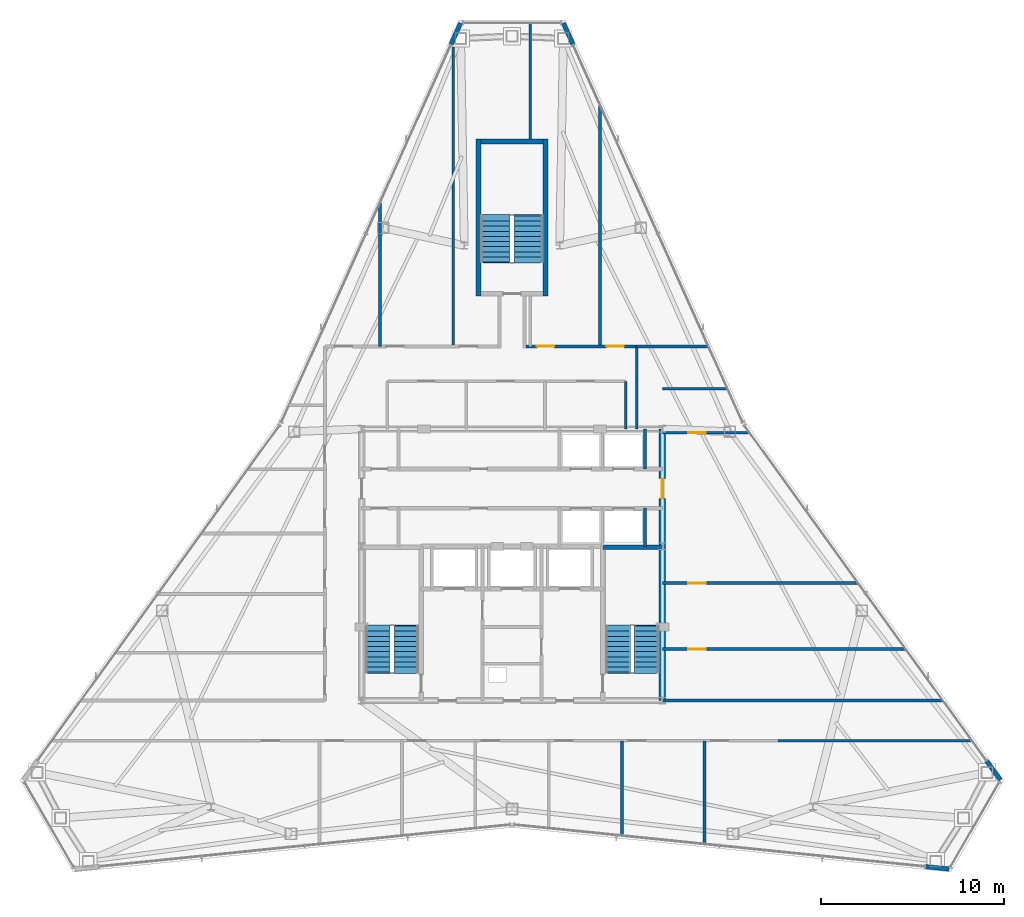
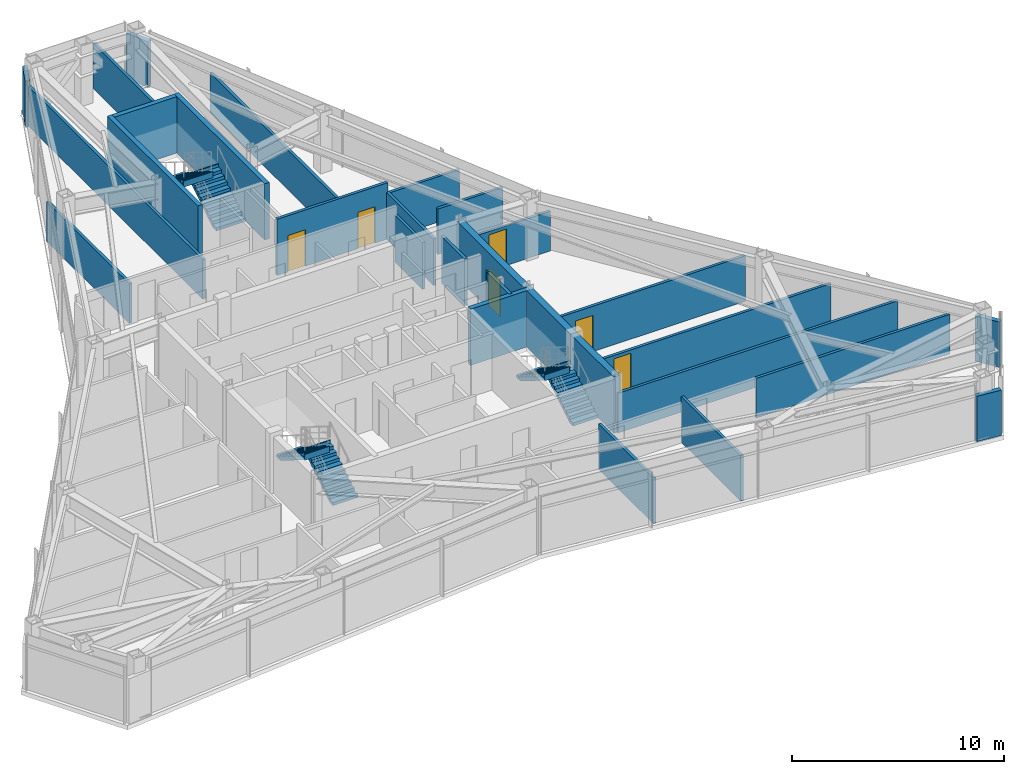
# One storey, part 11 of 12: 27 walls, 6 doors, 6 stair flights, 6 openings, 3 elements without a shape of their own.
"""IFC4 building model written with IfcOpenShell, lengths in metres."""

from ifc_helpers import new_model, si_unit, direction, frame, frame_2d, origin, place, context, subcontext, project, spatial, polyline, rectangle, outline, extrude, material, layer, layer_set, type_object, element, fill, aggregate, save


model = new_model("IFC4")

# Units and contexts
model_context = context("Model", 3, precision=1e-05, world=origin(), true_north=direction((0.0, 1.0)))
body_context = subcontext(model_context, "Body", "Model", "MODEL_VIEW")
ifc_project = project(units=[si_unit("LENGTHUNIT", "METRE"), si_unit("AREAUNIT", "SQUARE_METRE"), si_unit("VOLUMEUNIT", "CUBIC_METRE"), si_unit("PLANEANGLEUNIT", "RADIAN"), si_unit("MASSUNIT", "GRAM", prefix="KILO")], contexts=[model_context])

# Site, building, storey
site_placement = place(None, origin())
site = spatial("IfcSite", under=ifc_project, at=site_placement, CompositionType="ELEMENT")
building_placement = place(site_placement, origin())
building = spatial("IfcBuilding", under=site, at=building_placement, Name="Varakhsha Concourse Tower", CompositionType="ELEMENT")
storey_placement = place(building_placement, frame((0.0, 0.0, 255.0)))
storey = spatial("IfcBuildingStorey", under=building, at=storey_placement, Name="L72", CompositionType="ELEMENT", Elevation=255.0)

# Wall, opening, door
ifc_material_1 = material(Name="Concrete fc 65 MPa", Category="concrete")
ifc_layer_1 = layer(ifc_material_1, 0.35009765625, Name="WL-CORE-350")
ifc_layer_set_1 = layer_set([ifc_layer_1], Name="Concrete fc 65 MPa")
wall_type_1 = type_object("IfcWallType", Name="WL-CORE-350", PredefinedType="SHEAR", material=ifc_layer_set_1)
wall_1_placement = place(storey_placement, frame((48.199951171875, 16.39990234375, 0.0), z_axis=(0.0, 0.0, 1.0), x_axis=(0.0, 1.0, 0.0)))
wall_1 = element("IfcWall", 1, at=wall_1_placement, inside=storey, type_object=wall_type_1, Name="L72 Wall CWALL-E-L72", PredefinedType="SHEAR", context=body_context, shape_type="SweptSolid", body=[
    extrude(rectangle(XDim=14.800048828125, YDim=0.35009765625, at=frame_2d((7.39990234375, 0.0))), origin(), (0.0, 0.0, 1.0), 3.25),
])
opening_1_placement = place(wall_1_placement, frame((11.0, 0.0, 0.0)))
opening_1 = element("IfcOpeningElement", 2, at=opening_1_placement, cuts=wall_1, Name="Opening DL-01", PredefinedType="OPENING", context=body_context, shape_type="SweptSolid", body=[
    extrude(rectangle(XDim=1.10009765625, YDim=2.14990234375, at=frame_2d((0.550048828125, 1.074951171875))), frame((0.0, 0.18505859375, 0.0), z_axis=(0.0, -1.0, 0.0), x_axis=(1.0, 0.0, 0.0)), (0.0, 0.0, 1.0), 0.3701171875),
])
ifc_material_2 = material(Name="Anodised Bronze Architectural Aluminium AA 6063-T6", Category="aluminium")
door_type_1 = type_object("IfcDoorType", Name="DR-LOB-1100", OperationType="NOTDEFINED", PredefinedType="DOOR", material=ifc_material_2)
door_1_placement = place(opening_1_placement, origin())
door_1 = element("IfcDoor", 3, at=door_1_placement, inside=storey, type_object=door_type_1, Name="L72 Lift Lobby East Concourse Door", OperationType="SINGLE_SWING_RIGHT", OverallHeight=2.14990234375, OverallWidth=1.10009765625, PredefinedType="DOOR", context=body_context, shape_type="SweptSolid", body=[
    extrude(rectangle(XDim=1.10009765625, YDim=2.14990234375, at=frame_2d((0.550048828125, 1.074951171875))), frame((0.0, 0.02490234375, 0.0), z_axis=(0.0, -1.0, 0.0), x_axis=(1.0, 0.0, 0.0)), (0.0, 0.0, 1.0), 0.050048828125),
])
fill(opening_1, door_1)

# Walls
ifc_material_3 = material(Name="Concrete fc 45 MPa", Category="concrete")
ifc_layer_2 = layer(ifc_material_3, 0.239990234375, Name="WL-EXT-CRN-240")
ifc_layer_set_2 = layer_set([ifc_layer_2], Name="Concrete fc 45 MPa")
wall_type_2 = type_object("IfcWallType", Name="WL-EXT-CRN-240", PredefinedType="SHEAR", material=ifc_layer_set_2)
wall_2_placement = place(storey_placement, frame((37.19921875, 53.32763671875, 0.0), z_axis=(0.0, 0.0, 1.0), x_axis=(-0.409639238074, -0.912247605988, 0.0)))
element("IfcWall", 4, at=wall_2_placement, inside=storey, type_object=wall_type_2, Name="L72 Wind-Corner Shoulder Wall F2", PredefinedType="SHEAR", context=body_context, shape_type="SweptSolid", body=[
    extrude(rectangle(XDim=1.273681640625, YDim=0.239990234375, at=frame_2d((0.63671875, 0.0))), origin(), (0.0, 0.0, 1.0), 2.623046875),
])
wall_3_placement = place(storey_placement, frame((62.557861328125, 7.33984375, 0.0), z_axis=(0.0, 0.0, 1.0), x_axis=(0.994855080115, -0.10130828974, 0.0)))
element("IfcWall", 5, at=wall_3_placement, inside=storey, type_object=wall_type_2, Name="L72 Wind-Corner Shoulder Wall F6", PredefinedType="SHEAR", context=body_context, shape_type="SweptSolid", body=[
    extrude(rectangle(XDim=1.2724609375, YDim=0.239990234375, at=frame_2d((0.63623046875, 0.0))), origin(), (0.0, 0.0, 1.0), 2.623046875),
])
wall_4_placement = place(storey_placement, frame((66.62548828125, 12.061767578125, 0.0), z_axis=(0.0, 0.0, 1.0), x_axis=(-0.585112505524, 0.810952129216, 0.0)))
element("IfcWall", 6, at=wall_4_placement, inside=storey, type_object=wall_type_2, Name="L72 Wind-Corner Shoulder Wall F8", PredefinedType="SHEAR", context=body_context, shape_type="SweptSolid", body=[
    extrude(rectangle(XDim=1.2734375, YDim=0.239990234375, at=frame_2d((0.63671875, 0.0))), origin(), (0.0, 0.0, 1.0), 2.623046875),
])
wall_5_placement = place(storey_placement, frame((43.322509765625, 52.165771484375, 0.0), z_axis=(0.0, 0.0, 1.0), x_axis=(-0.409639238074, 0.912247605988, 0.0)))
element("IfcWall", 7, at=wall_5_placement, inside=storey, type_object=wall_type_2, Name="L72 Wind-Corner Shoulder Wall F9", PredefinedType="SHEAR", context=body_context, shape_type="SweptSolid", body=[
    extrude(rectangle(XDim=1.273681640625, YDim=0.239990234375, at=frame_2d((0.63671875, 0.0))), origin(), (0.0, 0.0, 1.0), 2.623046875),
])
ifc_material_4 = material(Name="Fire-Rated Type X Gypsum Partition Assembly", Category="gypsum")
ifc_layer_3 = layer(ifc_material_4, 0.14990234375, Name="WL-PART-150")
ifc_layer_set_3 = layer_set([ifc_layer_3], Name="Fire-Rated Type X Gypsum Partition Assembly")
wall_type_3 = type_object("IfcWallType", Name="WL-PART-150", PredefinedType="PARTITIONING", material=ifc_layer_set_3)
wall_6_placement = place(storey_placement, frame((46.199951171875, 31.199951171875, 0.0), z_axis=(0.0, 0.0, 1.0), x_axis=(0.0, 1.0, 0.0)))
element("IfcWall", 8, at=wall_6_placement, inside=storey, type_object=wall_type_3, Name="L72 Wall NBOH-E-L72", PredefinedType="PARTITIONING", context=body_context, shape_type="SweptSolid", body=[
    extrude(rectangle(XDim=2.60009765625, YDim=0.14990234375, at=frame_2d((1.300048828125, 0.0))), origin(), (0.0, 0.0, 1.0), 2.705078125),
])
wall_7_placement = place(storey_placement, frame((54.5, 14.199951171875, 0.0), z_axis=(0.0, 0.0, 1.0), x_axis=(1.0, 0.0, 0.0)))
element("IfcWall", 9, at=wall_7_placement, inside=storey, type_object=wall_type_3, Name="L72 Wall CRW-SGAL-SE-L72", PredefinedType="PARTITIONING", context=body_context, shape_type="SweptSolid", body=[
    extrude(rectangle(XDim=10.576416015625, YDim=0.14990234375, at=frame_2d((5.2880859375, 0.0))), origin(), (0.0, 0.0, 1.0), 2.2919921875),
])
wall_8_placement = place(storey_placement, frame((48.199951171875, 16.39990234375, 0.0), z_axis=(0.0, 0.0, 1.0), x_axis=(1.0, 0.0, 0.0)))
element("IfcWall", 10, at=wall_8_placement, inside=storey, type_object=wall_type_3, Name="L72 Wall CRW-SGAL-NE-L72", PredefinedType="PARTITIONING", context=body_context, shape_type="SweptSolid", body=[
    extrude(rectangle(XDim=15.28857421875, YDim=0.14990234375, at=frame_2d((7.644287109375, 0.0))), origin(), (0.0, 0.0, 1.0), 2.2919921875),
])

# Wall, openings, doors
wall_9_placement = place(storey_placement, frame((40.75, 35.699951171875, 0.0), z_axis=(0.0, 0.0, 1.0), x_axis=(1.0, 0.0, 0.0)))
wall_9 = element("IfcWall", 11, at=wall_9_placement, inside=storey, type_object=wall_type_3, Name="L72 Wall CRW-N-L72-B", PredefinedType="PARTITIONING", context=body_context, shape_type="SweptSolid", body=[
    extrude(rectangle(XDim=6.050048828125, YDim=0.14990234375, at=frame_2d((3.02490234375, 0.0))), origin(), (0.0, 0.0, 1.0), 3.25),
])
opening_2_placement = place(wall_9_placement, frame((0.60009765625, 0.0, 0.0)))
opening_2 = element("IfcOpeningElement", 12, at=opening_2_placement, cuts=wall_9, Name="Opening DF-05", PredefinedType="OPENING", context=body_context, shape_type="SweptSolid", body=[
    extrude(rectangle(XDim=0.949951171875, YDim=2.10009765625, at=frame_2d((0.47509765625, 1.050048828125))), frame((0.0, 0.0849609375, 0.0), z_axis=(0.0, -1.0, 0.0), x_axis=(1.0, 0.0, 0.0)), (0.0, 0.0, 1.0), 0.169921875),
])
opening_3_placement = place(wall_9_placement, frame((4.39990234375, 0.0, 0.0)))
opening_3 = element("IfcOpeningElement", 13, at=opening_3_placement, cuts=wall_9, Name="Opening DF-05", PredefinedType="OPENING", context=body_context, shape_type="SweptSolid", body=[
    extrude(rectangle(XDim=0.949951171875, YDim=2.10009765625, at=frame_2d((0.47509765625, 1.050048828125))), frame((0.0, 0.0849609375, 0.0), z_axis=(0.0, -1.0, 0.0), x_axis=(1.0, 0.0, 0.0)), (0.0, 0.0, 1.0), 0.169921875),
])
ifc_material_5 = material(Name="Hollow Galvanised Steel Fire Door Assembly", Category="steel")
door_type_2 = type_object("IfcDoorType", Name="DR-FD60-950", OperationType="NOTDEFINED", PredefinedType="DOOR", material=ifc_material_5)
door_2_placement = place(opening_2_placement, origin())
door_2 = element("IfcDoor", 14, at=door_2_placement, inside=storey, type_object=door_type_2, Name="L72 North Dry R&D Design Lab L72-N4 Door", OperationType="SINGLE_SWING_RIGHT", OverallHeight=2.10009765625, OverallWidth=0.949951171875, PredefinedType="DOOR", context=body_context, shape_type="SweptSolid", body=[
    extrude(rectangle(XDim=0.949951171875, YDim=2.10009765625, at=frame_2d((0.47509765625, 1.050048828125))), frame((0.0, 0.02490234375, 0.0), z_axis=(0.0, -1.0, 0.0), x_axis=(1.0, 0.0, 0.0)), (0.0, 0.0, 1.0), 0.050048828125),
])
fill(opening_2, door_2)
door_3_placement = place(opening_3_placement, origin())
door_3 = element("IfcDoor", 15, at=door_3_placement, inside=storey, type_object=door_type_2, Name="L72 North Dry R&D Design Lab L72-N5 Door", OperationType="SINGLE_SWING_LEFT", OverallHeight=2.10009765625, OverallWidth=0.949951171875, PredefinedType="DOOR", context=body_context, shape_type="SweptSolid", body=[
    extrude(rectangle(XDim=0.949951171875, YDim=2.10009765625, at=frame_2d((0.47509765625, 1.050048828125))), frame((0.0, 0.02490234375, 0.0), z_axis=(0.0, -1.0, 0.0), x_axis=(1.0, 0.0, 0.0)), (0.0, 0.0, 1.0), 0.050048828125),
])
fill(opening_3, door_3)

# Walls
wall_10_placement = place(storey_placement, frame((46.800048828125, 31.199951171875, 0.0), z_axis=(0.0, 0.0, 1.0), x_axis=(0.0, 1.0, 0.0)))
element("IfcWall", 16, at=wall_10_placement, inside=storey, type_object=wall_type_3, Name="L72 Wall CRW-NE-L72", PredefinedType="PARTITIONING", context=body_context, shape_type="SweptSolid", body=[
    extrude(rectangle(XDim=4.5, YDim=0.14990234375, at=frame_2d((2.25, 0.0))), origin(), (0.0, 0.0, 1.0), 2.705078125),
])
wall_11_placement = place(storey_placement, frame((46.0, 9.031494140625, 0.0), z_axis=(0.0, 0.0, 1.0), x_axis=(0.0, 1.0, 0.0)))
element("IfcWall", 17, at=wall_11_placement, inside=storey, type_object=wall_type_3, Name="L72 Wall ODIV-S5-L72", PredefinedType="PARTITIONING", context=body_context, shape_type="SweptSolid", body=[
    extrude(rectangle(XDim=5.16845703125, YDim=0.14990234375, at=frame_2d((2.584228515625, 0.0))), origin(), (0.0, 0.0, 1.0), 2.6279296875),
])
wall_12_placement = place(storey_placement, frame((50.5, 8.572998046875, 0.0), z_axis=(0.0, 0.0, 1.0), x_axis=(0.0, 1.0, 0.0)))
element("IfcWall", 18, at=wall_12_placement, inside=storey, type_object=wall_type_3, Name="L72 Wall ODIV-S6-L72", PredefinedType="PARTITIONING", context=body_context, shape_type="SweptSolid", body=[
    extrude(rectangle(XDim=5.626953125, YDim=0.14990234375, at=frame_2d((2.8134765625, 0.0))), origin(), (0.0, 0.0, 1.0), 2.6279296875),
])
wall_13_placement = place(storey_placement, frame((46.800048828125, 35.699951171875, 0.0), z_axis=(0.0, 0.0, 1.0), x_axis=(1.0, 0.0, 0.0)))
element("IfcWall", 19, at=wall_13_placement, inside=storey, type_object=wall_type_3, Name="L72 Wall ODIV-EBN-L72", PredefinedType="PARTITIONING", context=body_context, shape_type="SweptSolid", body=[
    extrude(rectangle(XDim=3.911376953125, YDim=0.14990234375, at=frame_2d((1.95556640625, 0.0))), origin(), (0.0, 0.0, 1.0), 2.6279296875),
])

# Wall, opening, door
wall_14_placement = place(storey_placement, frame((48.199951171875, 19.199951171875, 0.0), z_axis=(0.0, 0.0, 1.0), x_axis=(1.0, 0.0, 0.0)))
wall_14 = element("IfcWall", 20, at=wall_14_placement, inside=storey, type_object=wall_type_3, Name="L72 Wall ODIV-E1-L72", PredefinedType="PARTITIONING", context=body_context, shape_type="SweptSolid", body=[
    extrude(rectangle(XDim=13.26806640625, YDim=0.14990234375, at=frame_2d((6.634033203125, 0.0))), origin(), (0.0, 0.0, 1.0), 2.2919921875),
])
opening_4_placement = place(wall_14_placement, frame((1.39990234375, 0.0, 0.0)))
opening_4 = element("IfcOpeningElement", 21, at=opening_4_placement, cuts=wall_14, Name="Opening DF-05", PredefinedType="OPENING", context=body_context, shape_type="SweptSolid", body=[
    extrude(rectangle(XDim=0.949951171875, YDim=2.10009765625, at=frame_2d((0.47509765625, 1.050048828125))), frame((0.0, 0.0849609375, 0.0), z_axis=(0.0, -1.0, 0.0), x_axis=(1.0, 0.0, 0.0)), (0.0, 0.0, 1.0), 0.169921875),
])
door_4_placement = place(opening_4_placement, origin())
door_4 = element("IfcDoor", 22, at=door_4_placement, inside=storey, type_object=door_type_2, Name="L72 East Suite Interconnect Door 1", OperationType="SINGLE_SWING_LEFT", OverallHeight=2.10009765625, OverallWidth=0.949951171875, PredefinedType="DOOR", context=body_context, shape_type="SweptSolid", body=[
    extrude(rectangle(XDim=0.949951171875, YDim=2.10009765625, at=frame_2d((0.47509765625, 1.050048828125))), frame((0.0, 0.02490234375, 0.0), z_axis=(0.0, -1.0, 0.0), x_axis=(1.0, 0.0, 0.0)), (0.0, 0.0, 1.0), 0.050048828125),
])
fill(opening_4, door_4)

wall_15_placement = place(storey_placement, frame((48.199951171875, 22.800048828125, 0.0), z_axis=(0.0, 0.0, 1.0), x_axis=(1.0, 0.0, 0.0)))
wall_15 = element("IfcWall", 23, at=wall_15_placement, inside=storey, type_object=wall_type_3, Name="L72 Wall ODIV-E2-L72", PredefinedType="PARTITIONING", context=body_context, shape_type="SweptSolid", body=[
    extrude(rectangle(XDim=10.670166015625, YDim=0.14990234375, at=frame_2d((5.3349609375, 0.0))), origin(), (0.0, 0.0, 1.0), 2.6279296875),
])
opening_5_placement = place(wall_15_placement, frame((1.39990234375, 0.0, 0.0)))
opening_5 = element("IfcOpeningElement", 24, at=opening_5_placement, cuts=wall_15, Name="Opening DF-05", PredefinedType="OPENING", context=body_context, shape_type="SweptSolid", body=[
    extrude(rectangle(XDim=0.949951171875, YDim=2.10009765625, at=frame_2d((0.47509765625, 1.050048828125))), frame((0.0, 0.0849609375, 0.0), z_axis=(0.0, -1.0, 0.0), x_axis=(1.0, 0.0, 0.0)), (0.0, 0.0, 1.0), 0.169921875),
])
door_5_placement = place(opening_5_placement, origin())
door_5 = element("IfcDoor", 25, at=door_5_placement, inside=storey, type_object=door_type_2, Name="L72 East Suite Interconnect Door 2", OperationType="SINGLE_SWING_RIGHT", OverallHeight=2.10009765625, OverallWidth=0.949951171875, PredefinedType="DOOR", context=body_context, shape_type="SweptSolid", body=[
    extrude(rectangle(XDim=0.949951171875, YDim=2.10009765625, at=frame_2d((0.47509765625, 1.050048828125))), frame((0.0, 0.02490234375, 0.0), z_axis=(0.0, -1.0, 0.0), x_axis=(1.0, 0.0, 0.0)), (0.0, 0.0, 1.0), 0.050048828125),
])
fill(opening_5, door_5)

wall_16_placement = place(storey_placement, frame((48.199951171875, 31.0, 0.0), z_axis=(0.0, 0.0, 1.0), x_axis=(1.0, 0.0, 0.0)))
wall_16 = element("IfcWall", 26, at=wall_16_placement, inside=storey, type_object=wall_type_3, Name="L72 Wall ODIV-E3-L72", PredefinedType="PARTITIONING", context=body_context, shape_type="SweptSolid", body=[
    extrude(rectangle(XDim=4.75244140625, YDim=0.14990234375, at=frame_2d((2.376220703125, 0.0))), origin(), (0.0, 0.0, 1.0), 2.2919921875),
])
opening_6_placement = place(wall_16_placement, frame((1.39990234375, 0.0, 0.0)))
opening_6 = element("IfcOpeningElement", 27, at=opening_6_placement, cuts=wall_16, Name="Opening DF-05", PredefinedType="OPENING", context=body_context, shape_type="SweptSolid", body=[
    extrude(rectangle(XDim=0.949951171875, YDim=2.10009765625, at=frame_2d((0.47509765625, 1.050048828125))), frame((0.0, 0.0849609375, 0.0), z_axis=(0.0, -1.0, 0.0), x_axis=(1.0, 0.0, 0.0)), (0.0, 0.0, 1.0), 0.169921875),
])
door_6_placement = place(opening_6_placement, origin())
door_6 = element("IfcDoor", 28, at=door_6_placement, inside=storey, type_object=door_type_2, Name="L72 East Suite Interconnect Door 3", OperationType="SINGLE_SWING_LEFT", OverallHeight=2.10009765625, OverallWidth=0.949951171875, PredefinedType="DOOR", context=body_context, shape_type="SweptSolid", body=[
    extrude(rectangle(XDim=0.949951171875, YDim=2.10009765625, at=frame_2d((0.47509765625, 1.050048828125))), frame((0.0, 0.02490234375, 0.0), z_axis=(0.0, -1.0, 0.0), x_axis=(1.0, 0.0, 0.0)), (0.0, 0.0, 1.0), 0.050048828125),
])
fill(opening_6, door_6)

# Walls
wall_17_placement = place(storey_placement, frame((48.199951171875, 33.39990234375, 0.0), z_axis=(0.0, 0.0, 1.0), x_axis=(1.0, 0.0, 0.0)))
element("IfcWall", 29, at=wall_17_placement, inside=storey, type_object=wall_type_3, Name="L72 Wall ODIV-E4-L72", PredefinedType="PARTITIONING", context=body_context, shape_type="SweptSolid", body=[
    extrude(rectangle(XDim=3.544189453125, YDim=0.14990234375, at=frame_2d((1.77197265625, 0.0))), origin(), (0.0, 0.0, 1.0), 2.6279296875),
])
wall_18_placement = place(storey_placement, frame((32.800048828125, 35.699951171875, 0.0), z_axis=(0.0, 0.0, 1.0), x_axis=(0.0, 1.0, 0.0)))
element("IfcWall", 30, at=wall_18_placement, inside=storey, type_object=wall_type_3, Name="L72 Wall ODIV-N1-L72", PredefinedType="PARTITIONING", context=body_context, shape_type="SweptSolid", body=[
    extrude(rectangle(XDim=7.819091796875, YDim=0.14990234375, at=frame_2d((3.90966796875, 0.0))), origin(), (0.0, 0.0, 1.0), 2.2919921875),
])
wall_19_placement = place(storey_placement, frame((36.800048828125, 35.699951171875, 0.0), z_axis=(0.0, 0.0, 1.0), x_axis=(0.0, 1.0, 0.0)))
element("IfcWall", 31, at=wall_19_placement, inside=storey, type_object=wall_type_3, Name="L72 Wall ODIV-N2-L72", PredefinedType="PARTITIONING", context=body_context, shape_type="SweptSolid", body=[
    extrude(rectangle(XDim=16.726318359375, YDim=0.14990234375, at=frame_2d((8.36328125, 0.0))), origin(), (0.0, 0.0, 1.0), 2.2919921875),
])
wall_20_placement = place(storey_placement, frame((41.0, 47.0, 0.0), z_axis=(0.0, 0.0, 1.0), x_axis=(0.0, 1.0, 0.0)))
element("IfcWall", 32, at=wall_20_placement, inside=storey, type_object=wall_type_3, Name="L72 Wall ODIV-N3-L72-B", PredefinedType="PARTITIONING", context=body_context, shape_type="SweptSolid", body=[
    extrude(rectangle(XDim=6.33203125, YDim=0.14990234375, at=frame_2d((3.166015625, 0.0))), origin(), (0.0, 0.0, 1.0), 2.6279296875),
])
wall_21_placement = place(storey_placement, frame((44.800048828125, 35.699951171875, 0.0), z_axis=(0.0, 0.0, 1.0), x_axis=(0.0, 1.0, 0.0)))
element("IfcWall", 33, at=wall_21_placement, inside=storey, type_object=wall_type_3, Name="L72 Wall ODIV-N4-L72", PredefinedType="PARTITIONING", context=body_context, shape_type="SweptSolid", body=[
    extrude(rectangle(XDim=13.163330078125, YDim=0.14990234375, at=frame_2d((6.58154296875, 0.0))), origin(), (0.0, 0.0, 1.0), 2.2919921875),
])
ifc_layer_4 = layer(ifc_material_4, 0.199951171875, Name="WL-SHAFT-220")
ifc_layer_set_4 = layer_set([ifc_layer_4], Name="Fire-Rated Type X Gypsum Partition Assembly")
wall_type_4 = type_object("IfcWallType", Name="WL-SHAFT-220", PredefinedType="SOLIDWALL", material=ifc_layer_set_4)
wall_22_placement = place(storey_placement, frame((47.239990234375, 29.02001953125, 0.0), z_axis=(0.0, 0.0, 1.0), x_axis=(0.0, 1.0, 0.0)))
element("IfcWall", 34, at=wall_22_placement, inside=storey, type_object=wall_type_4, Name="L72 Wall SHW-LF-P10-E-L72", PredefinedType="SOLIDWALL", context=body_context, shape_type="SweptSolid", body=[
    extrude(rectangle(XDim=2.179931640625, YDim=0.159912109375, at=frame_2d((1.08984375, 0.0))), origin(), (0.0, 0.0, 1.0), 2.705078125),
])
wall_23_placement = place(storey_placement, frame((47.239990234375, 24.800048828125, 0.0), z_axis=(0.0, 0.0, 1.0), x_axis=(0.0, 1.0, 0.0)))
element("IfcWall", 35, at=wall_23_placement, inside=storey, type_object=wall_type_4, Name="L72 Wall SHW-LF-P12-E-L72", PredefinedType="SOLIDWALL", context=body_context, shape_type="SweptSolid", body=[
    extrude(rectangle(XDim=2.079833984375, YDim=0.159912109375, at=frame_2d((1.0400390625, 0.0))), origin(), (0.0, 0.0, 1.0), 3.25),
])
ifc_layer_5 = layer(ifc_material_3, 0.25, Name="WL-STAIR-250")
ifc_layer_set_5 = layer_set([ifc_layer_5], Name="Concrete fc 45 MPa")
wall_type_5 = type_object("IfcWallType", Name="WL-STAIR-250", PredefinedType="SHEAR", material=ifc_layer_set_5)
wall_24_placement = place(storey_placement, frame((44.955078125, 24.7548828125, 0.0), z_axis=(0.0, 0.0, 1.0), x_axis=(1.0, 0.0, 0.0)))
element("IfcWall", 36, at=wall_24_placement, inside=storey, type_object=wall_type_5, Name="L72 Wall SWALL-ST2-N-L72", PredefinedType="SHEAR", context=body_context, shape_type="SweptSolid", body=[
    extrude(rectangle(XDim=3.244873046875, YDim=0.25, at=frame_2d((1.62255859375, 0.0))), origin(), (0.0, 0.0, 1.0), 3.25),
])
for number, where, z_axis, x_axis, name in (
    (37, (38.175048828125, 38.449951171875, 0.0), (0.0, 0.0, 1.0), (0.0, 1.0, 0.0), "L72 Wall SWALL-ST5-W-L72"),
    (38, (41.824951171875, 38.449951171875, 0.0), (0.0, 0.0, 1.0), (0.0, 1.0, 0.0), "L72 Wall SWALL-ST5-E-L72"),
):
    element("IfcWall", number, at=place(storey_placement, frame(where, z_axis=z_axis, x_axis=x_axis)), inside=storey, type_object=wall_type_5, Name=name, PredefinedType="SHEAR", context=body_context, shape_type="SweptSolid", body=[
        extrude(rectangle(XDim=8.550048828125, YDim=0.25, at=frame_2d((4.27490234375, 0.0))), origin(), (0.0, 0.0, 1.0), 3.25),
    ])
wall_25_placement = place(storey_placement, frame((38.300048828125, 46.875, 0.0), z_axis=(0.0, 0.0, 1.0), x_axis=(1.0, 0.0, 0.0)))
element("IfcWall", 39, at=wall_25_placement, inside=storey, type_object=wall_type_5, Name="L72 Wall SWALL-ST5-N-L72", PredefinedType="SHEAR", context=body_context, shape_type="SweptSolid", body=[
    extrude(rectangle(XDim=3.39990234375, YDim=0.25, at=frame_2d((1.699951171875, 0.0))), origin(), (0.0, 0.0, 1.0), 3.25),
])

# Stair, stair flights
stair_type_1 = type_object("IfcStairType", Name="ST-DOGLEG-1360", PredefinedType="HALF_TURN_STAIR", material=ifc_material_3)
stair_1_placement = place(storey_placement, origin())
stair_1 = element("IfcStair", 40, at=stair_1_placement, inside=storey, type_object=stair_type_1, Name="L72 Protected Exit Stair ST1", PredefinedType="HALF_TURN_STAIR")
stair_flight_type_1 = type_object("IfcStairFlightType", Name="STF-1360-R1750", PredefinedType="STRAIGHT", material=ifc_material_3)
stair_flight_1_placement = place(storey_placement, frame((34.239990234375, 17.93994140625, 0.0), z_axis=(0.0, 0.0, 1.0), x_axis=(0.0, 1.0, 0.0)))
stair_flight_1 = element("IfcStairFlight", 41, at=stair_flight_1_placement, type_object=stair_flight_type_1, Name="ST1 flight 1", NumberOfRisers=10, NumberOfTreads=9, PredefinedType="STRAIGHT", RiserHeight=0.175, TreadLength=0.28, context=body_context, shape_type="SweptSolid", body=[
    extrude(outline(polyline([(-0.06005859375, 0.0), (-0.06005859375, 0.175048828125), (0.0, 0.175048828125), (0.280029296875, 0.175048828125), (0.280029296875, 0.35009765625), (0.56005859375, 0.35009765625), (0.56005859375, 0.52490234375), (0.840087890625, 0.52490234375), (0.840087890625, 0.699951171875), (1.1201171875, 0.699951171875), (1.1201171875, 0.875), (1.39990234375, 0.875), (1.39990234375, 1.050048828125), (1.679931640625, 1.050048828125), (1.679931640625, 1.22509765625), (1.9599609375, 1.22509765625), (1.9599609375, 1.39990234375), (2.239990234375, 1.39990234375), (2.239990234375, 1.574951171875), (2.52001953125, 1.574951171875), (2.52001953125, 1.75), (2.580078125, 1.75), (2.580078125, 1.398193359375), (2.52001953125, 1.398193359375), (0.28271484375, 0.0), (-0.06005859375, 0.0)])), frame((0.0, 0.68017578125, 0.0), z_axis=(0.0, -1.0, 0.0), x_axis=(1.0, 0.0, 0.0)), (0.0, 0.0, 1.0), 1.360107421875),
])
stair_flight_2_placement = place(storey_placement, frame((32.679931640625, 20.4599609375, 1.75), z_axis=(0.0, 0.0, 1.0), x_axis=(0.0, -1.0, 0.0)))
stair_flight_2 = element("IfcStairFlight", 42, at=stair_flight_2_placement, type_object=stair_flight_type_1, Name="ST1 flight 2", NumberOfRisers=10, NumberOfTreads=9, PredefinedType="STRAIGHT", RiserHeight=0.175, TreadLength=0.28, context=body_context, shape_type="SweptSolid", body=[
    extrude(outline(polyline([(-0.06005859375, 0.0), (-0.06005859375, 0.175048828125), (0.0, 0.175048828125), (0.280029296875, 0.175048828125), (0.280029296875, 0.35009765625), (0.56005859375, 0.35009765625), (0.56005859375, 0.52490234375), (0.840087890625, 0.52490234375), (0.840087890625, 0.699951171875), (1.1201171875, 0.699951171875), (1.1201171875, 0.875), (1.39990234375, 0.875), (1.39990234375, 1.050048828125), (1.679931640625, 1.050048828125), (1.679931640625, 1.22509765625), (1.9599609375, 1.22509765625), (1.9599609375, 1.39990234375), (2.239990234375, 1.39990234375), (2.239990234375, 1.574951171875), (2.52001953125, 1.574951171875), (2.52001953125, 1.75), (2.580078125, 1.75), (2.580078125, 1.398193359375), (2.52001953125, 1.398193359375), (0.28271484375, 0.0), (-0.06005859375, 0.0)])), frame((0.0, 0.68017578125, 0.0), z_axis=(0.0, -1.0, 0.0), x_axis=(1.0, 0.0, 0.0)), (0.0, 0.0, 1.0), 1.360107421875),
])
aggregate(stair_1, [stair_flight_1, stair_flight_2])

stair_2_placement = place(storey_placement, origin())
stair_2 = element("IfcStair", 43, at=stair_2_placement, inside=storey, type_object=stair_type_1, Name="L72 Protected Exit Stair ST2", PredefinedType="HALF_TURN_STAIR")
stair_flight_3_placement = place(storey_placement, frame((47.340087890625, 17.93994140625, 0.0), z_axis=(0.0, 0.0, 1.0), x_axis=(0.0, 1.0, 0.0)))
stair_flight_3 = element("IfcStairFlight", 44, at=stair_flight_3_placement, type_object=stair_flight_type_1, Name="ST2 flight 1", NumberOfRisers=10, NumberOfTreads=9, PredefinedType="STRAIGHT", RiserHeight=0.175, TreadLength=0.28, context=body_context, shape_type="SweptSolid", body=[
    extrude(outline(polyline([(-0.06005859375, 0.0), (-0.06005859375, 0.175048828125), (0.0, 0.175048828125), (0.280029296875, 0.175048828125), (0.280029296875, 0.35009765625), (0.56005859375, 0.35009765625), (0.56005859375, 0.52490234375), (0.840087890625, 0.52490234375), (0.840087890625, 0.699951171875), (1.1201171875, 0.699951171875), (1.1201171875, 0.875), (1.39990234375, 0.875), (1.39990234375, 1.050048828125), (1.679931640625, 1.050048828125), (1.679931640625, 1.22509765625), (1.9599609375, 1.22509765625), (1.9599609375, 1.39990234375), (2.239990234375, 1.39990234375), (2.239990234375, 1.574951171875), (2.52001953125, 1.574951171875), (2.52001953125, 1.75), (2.580078125, 1.75), (2.580078125, 1.398193359375), (2.52001953125, 1.398193359375), (0.28271484375, 0.0), (-0.06005859375, 0.0)])), frame((0.0, 0.68017578125, 0.0), z_axis=(0.0, -1.0, 0.0), x_axis=(1.0, 0.0, 0.0)), (0.0, 0.0, 1.0), 1.360107421875),
])
stair_flight_4_placement = place(storey_placement, frame((45.780029296875, 20.4599609375, 1.75), z_axis=(0.0, 0.0, 1.0), x_axis=(0.0, -1.0, 0.0)))
stair_flight_4 = element("IfcStairFlight", 45, at=stair_flight_4_placement, type_object=stair_flight_type_1, Name="ST2 flight 2", NumberOfRisers=10, NumberOfTreads=9, PredefinedType="STRAIGHT", RiserHeight=0.175, TreadLength=0.28, context=body_context, shape_type="SweptSolid", body=[
    extrude(outline(polyline([(-0.06005859375, 0.0), (-0.06005859375, 0.175048828125), (0.0, 0.175048828125), (0.280029296875, 0.175048828125), (0.280029296875, 0.35009765625), (0.56005859375, 0.35009765625), (0.56005859375, 0.52490234375), (0.840087890625, 0.52490234375), (0.840087890625, 0.699951171875), (1.1201171875, 0.699951171875), (1.1201171875, 0.875), (1.39990234375, 0.875), (1.39990234375, 1.050048828125), (1.679931640625, 1.050048828125), (1.679931640625, 1.22509765625), (1.9599609375, 1.22509765625), (1.9599609375, 1.39990234375), (2.239990234375, 1.39990234375), (2.239990234375, 1.574951171875), (2.52001953125, 1.574951171875), (2.52001953125, 1.75), (2.580078125, 1.75), (2.580078125, 1.398193359375), (2.52001953125, 1.398193359375), (0.28271484375, 0.0), (-0.06005859375, 0.0)])), frame((0.0, 0.68017578125, 0.0), z_axis=(0.0, -1.0, 0.0), x_axis=(1.0, 0.0, 0.0)), (0.0, 0.0, 1.0), 1.360107421875),
])
aggregate(stair_2, [stair_flight_3, stair_flight_4])

stair_type_2 = type_object("IfcStairType", Name="ST-DOGLEG-1600", PredefinedType="HALF_TURN_STAIR", material=ifc_material_3)
stair_3_placement = place(storey_placement, origin())
stair_3 = element("IfcStair", 46, at=stair_3_placement, inside=storey, type_object=stair_type_2, Name="L72 Protected Exit Stair ST5", PredefinedType="HALF_TURN_STAIR")
stair_flight_type_2 = type_object("IfcStairFlightType", Name="STF-1600-R1750", PredefinedType="STRAIGHT", material=ifc_material_3)
stair_flight_5_placement = place(storey_placement, frame((40.89990234375, 40.300048828125, 0.0), z_axis=(0.0, 0.0, 1.0), x_axis=(0.0, 1.0, 0.0)))
stair_flight_5 = element("IfcStairFlight", 47, at=stair_flight_5_placement, type_object=stair_flight_type_2, Name="ST5 flight 1", NumberOfRisers=10, NumberOfTreads=9, PredefinedType="STRAIGHT", RiserHeight=0.175, TreadLength=0.28, context=body_context, shape_type="SweptSolid", body=[
    extrude(outline(polyline([(-0.06005859375, 0.0), (-0.06005859375, 0.175048828125), (0.0, 0.175048828125), (0.280029296875, 0.175048828125), (0.280029296875, 0.35009765625), (0.56005859375, 0.35009765625), (0.56005859375, 0.52490234375), (0.840087890625, 0.52490234375), (0.840087890625, 0.699951171875), (1.1201171875, 0.699951171875), (1.1201171875, 0.875), (1.39990234375, 0.875), (1.39990234375, 1.050048828125), (1.679931640625, 1.050048828125), (1.679931640625, 1.22509765625), (1.9599609375, 1.22509765625), (1.9599609375, 1.39990234375), (2.239990234375, 1.39990234375), (2.239990234375, 1.574951171875), (2.52001953125, 1.574951171875), (2.52001953125, 1.75), (2.580078125, 1.75), (2.580078125, 1.398193359375), (2.52001953125, 1.398193359375), (0.28271484375, 0.0), (-0.06005859375, 0.0)])), frame((0.0, 0.800048828125, 0.0), z_axis=(0.0, -1.0, 0.0), x_axis=(1.0, 0.0, 0.0)), (0.0, 0.0, 1.0), 1.60009765625),
])
stair_flight_6_placement = place(storey_placement, frame((39.10009765625, 42.820068359375, 1.75), z_axis=(0.0, 0.0, 1.0), x_axis=(0.0, -1.0, 0.0)))
stair_flight_6 = element("IfcStairFlight", 48, at=stair_flight_6_placement, type_object=stair_flight_type_2, Name="ST5 flight 2", NumberOfRisers=10, NumberOfTreads=9, PredefinedType="STRAIGHT", RiserHeight=0.175, TreadLength=0.28, context=body_context, shape_type="SweptSolid", body=[
    extrude(outline(polyline([(-0.06005859375, 0.0), (-0.06005859375, 0.175048828125), (0.0, 0.175048828125), (0.280029296875, 0.175048828125), (0.280029296875, 0.35009765625), (0.56005859375, 0.35009765625), (0.56005859375, 0.52490234375), (0.840087890625, 0.52490234375), (0.840087890625, 0.699951171875), (1.1201171875, 0.699951171875), (1.1201171875, 0.875), (1.39990234375, 0.875), (1.39990234375, 1.050048828125), (1.679931640625, 1.050048828125), (1.679931640625, 1.22509765625), (1.9599609375, 1.22509765625), (1.9599609375, 1.39990234375), (2.239990234375, 1.39990234375), (2.239990234375, 1.574951171875), (2.52001953125, 1.574951171875), (2.52001953125, 1.75), (2.580078125, 1.75), (2.580078125, 1.398193359375), (2.52001953125, 1.398193359375), (0.28271484375, 0.0), (-0.06005859375, 0.0)])), frame((0.0, 0.800048828125, 0.0), z_axis=(0.0, -1.0, 0.0), x_axis=(1.0, 0.0, 0.0)), (0.0, 0.0, 1.0), 1.60009765625),
])
aggregate(stair_3, [stair_flight_5, stair_flight_6])

save(model, "model.ifc")
